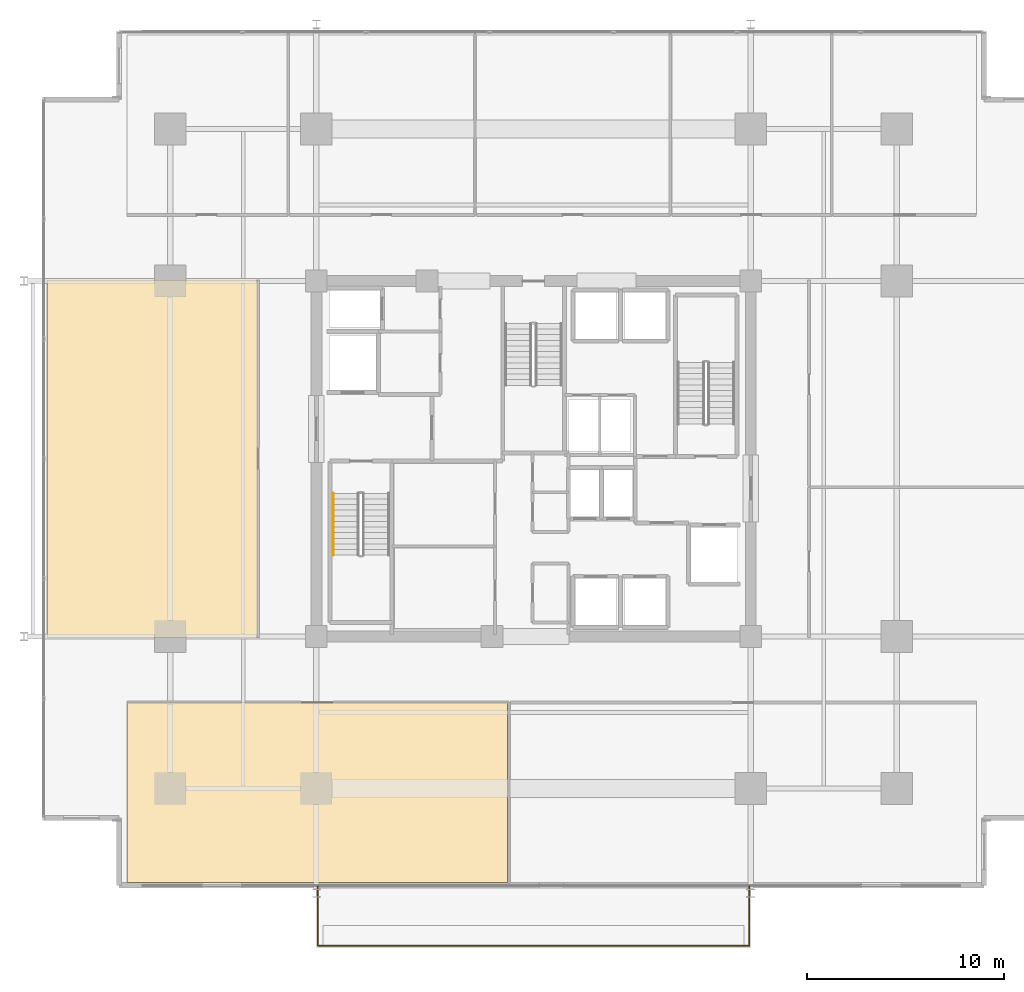
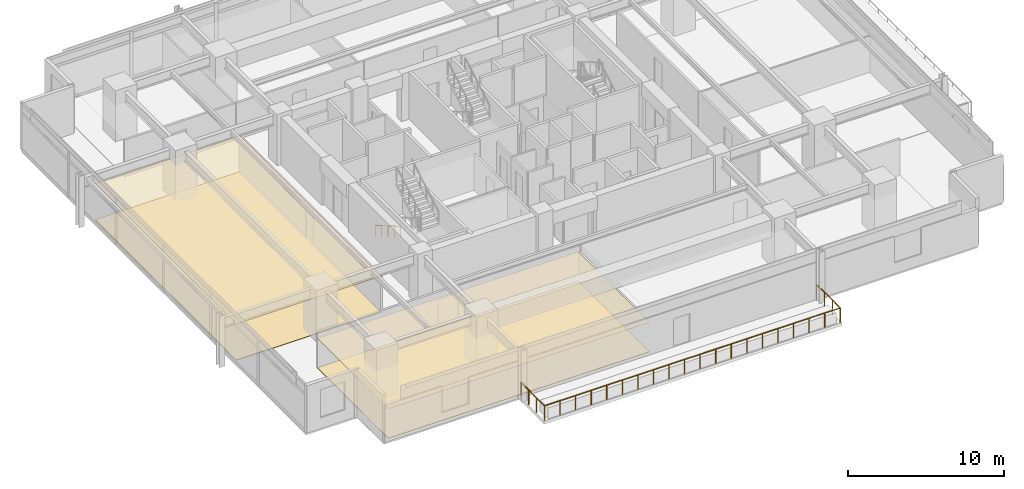
# One storey, part 18 of 22: 4 coverings, 2 railings.
"""IFC4 building model written with IfcOpenShell, lengths in metres."""

import ifcopenshell
import ifcopenshell.guid

model = None  # the IFC model being written
_history = None  # IfcOwnerHistory: only IFC2X3 demands one
_inside = {}  # id of a spatial element -> (the spatial element, [elements in it])
_under = {}  # id of a project, library or spatial element -> (it, [spatial elements below it])
_declared = {}  # id of a project -> (the project, [libraries it declares])
_typed = {}  # id of a type object -> (the type object, [elements of that type])
_made_of = {}  # id of a material, layer set ... -> (it, [elements and type objects made of it])


def new_model(schema):
    """Start an empty IFC model of exactly this schema.

    Asked for "IFC4X3", IfcOpenShell would pick the latest addendum, in which some entities
    have other attributes; the version numbers below select the first issue.
    IFC2X3 requires an IfcOwnerHistory on every rooted entity: one is made here for all.
    """
    global model, _history
    if schema == "IFC4X3":
        model = ifcopenshell.file(schema_version=(4, 3, 0, 0))
    else:
        model = ifcopenshell.file(schema=schema)
    _inside.clear()
    _under.clear()
    _declared.clear()
    _typed.clear()
    _made_of.clear()
    _history = None
    if model.schema == "IFC2X3":
        org = make("IfcOrganization", Name="unknown")
        user = make(
            "IfcPersonAndOrganization",
            ThePerson=make("IfcPerson", FamilyName="unknown"),
            TheOrganization=org,
        )
        app = make(
            "IfcApplication",
            ApplicationDeveloper=org,
            Version="unknown",
            ApplicationFullName="unknown",
            ApplicationIdentifier="unknown",
        )
        _history = make(
            "IfcOwnerHistory",
            OwningUser=user,
            OwningApplication=app,
            ChangeAction="ADDED",
            CreationDate=0,
        )
    return model


def make(cls, **values):
    """One entity of the class cls with the attributes given. An attribute that is None is left unset."""
    return model.create_entity(
        cls, **{name: value for name, value in values.items() if value is not None}
    )


def rooted(cls, **values):
    """An entity with a GlobalId (a new one), such as an element, a storey or a relation."""
    return make(cls, GlobalId=ifcopenshell.guid.new(), OwnerHistory=_history, **values)


def si_unit(unit_type, name, prefix=None):
    """IfcSIUnit, for example si_unit("LENGTHUNIT", "METRE", prefix="MILLI")."""
    return make("IfcSIUnit", UnitType=unit_type, Prefix=prefix, Name=name)


def assignment(units):
    """IfcUnitAssignment: the units of a project."""
    return None if units is None else make("IfcUnitAssignment", Units=units)


def point(xyz):
    """IfcCartesianPoint."""
    return None if xyz is None else make("IfcCartesianPoint", Coordinates=xyz)


def direction(xyz):
    """IfcDirection."""
    return None if xyz is None else make("IfcDirection", DirectionRatios=xyz)


def frame(location, z_axis=None, x_axis=None):
    """IfcAxis2Placement3D, a coordinate frame: its origin and axes. An axis left out is left unset."""
    return make(
        "IfcAxis2Placement3D",
        Location=point(location),
        Axis=direction(z_axis),
        RefDirection=direction(x_axis),
    )


def frame_2d(location, x_axis=None):
    """IfcAxis2Placement2D, a coordinate frame in the plane: its origin and x axis."""
    return make(
        "IfcAxis2Placement2D", Location=point(location), RefDirection=direction(x_axis)
    )


def origin():
    """The frame at (0, 0, 0) with its axes left unset."""
    return frame((0.0, 0.0, 0.0))


def origin_2d():
    """The frame at (0, 0) in the plane with its x axis left unset."""
    return frame_2d((0.0, 0.0))


def place(relative_to, where):
    """IfcLocalPlacement: puts the frame where relative to a parent placement (None: the world)."""
    return make(
        "IfcLocalPlacement", PlacementRelTo=relative_to, RelativePlacement=where
    )


def context(
    kind, dimensions, precision=None, world=None, true_north=None, identifier=None
):
    """IfcGeometricRepresentationContext, for example the 3D "Model" context."""
    return make(
        "IfcGeometricRepresentationContext",
        ContextIdentifier=identifier,
        ContextType=kind,
        CoordinateSpaceDimension=dimensions,
        Precision=precision,
        WorldCoordinateSystem=world,
        TrueNorth=true_north,
    )


def subcontext(parent, identifier, kind, view, scale=None):
    """IfcGeometricRepresentationSubContext, for example "Body" below "Model"."""
    return make(
        "IfcGeometricRepresentationSubContext",
        ContextIdentifier=identifier,
        ContextType=kind,
        ParentContext=parent,
        TargetScale=scale,
        TargetView=view,
    )


def project(units=None, contexts=None):
    """IfcProject with its units and contexts."""
    return rooted(
        "IfcProject",
        Name="project",
        RepresentationContexts=contexts,
        UnitsInContext=assignment(units),
    )


def spatial(cls, under=None, at=None, **own):
    """A site, building, storey or space (cls), placed at a placement, below another one or the project."""
    s = rooted(cls, ObjectPlacement=at, **own)
    if under is not None:
        _under.setdefault(under.id(), (under, []))[1].append(s)
    return s


def polyline(points):
    """IfcPolyline through the points."""
    return make("IfcPolyline", Points=[point(p) for p in points])


def profile(cls, at=None, kind="AREA", **sizes):
    """A parametric profile (cls). Its sizes go by their IFC names, for example OverallWidth=200.0."""
    return make(cls, ProfileType=kind, Position=at, **sizes)


def circle(**sizes):
    """IfcCircleProfileDef."""
    return profile("IfcCircleProfileDef", **sizes)


def outline(outer, holes=None, kind="AREA"):
    """IfcArbitraryClosedProfileDef: a profile drawn as a closed curve; with holes, ...WithVoids."""
    if holes is None:
        return make("IfcArbitraryClosedProfileDef", ProfileType=kind, OuterCurve=outer)
    return make(
        "IfcArbitraryProfileDefWithVoids",
        ProfileType=kind,
        OuterCurve=outer,
        InnerCurves=holes,
    )


def extrude(swept, where, along, depth):
    """IfcExtrudedAreaSolid: the profile swept, set in the frame where, extruded along a direction by depth."""
    return make(
        "IfcExtrudedAreaSolid",
        SweptArea=swept,
        Position=where,
        ExtrudedDirection=direction(along),
        Depth=depth,
    )


def shape(context_of_items, identifier, shape_type, items):
    """IfcShapeRepresentation: the items that make up one representation, for example the "Body"."""
    return make(
        "IfcShapeRepresentation",
        ContextOfItems=context_of_items,
        RepresentationIdentifier=identifier,
        RepresentationType=shape_type,
        Items=items,
    )


def material(Name=None, Category=None):
    """IfcMaterial."""
    return make("IfcMaterial", Name=Name, Category=Category)


def layer(
    of_material, thickness, ventilated=None, Name=None, Category=None, Priority=None
):
    """IfcMaterialLayer: one layer of a wall or slab, of a material (None: an air gap)."""
    return make(
        "IfcMaterialLayer",
        Material=of_material,
        LayerThickness=thickness,
        IsVentilated=ventilated,
        Name=Name,
        Category=Category,
        Priority=Priority,
    )


def layer_set(layers, Name=None):
    """IfcMaterialLayerSet."""
    return make("IfcMaterialLayerSet", MaterialLayers=layers, LayerSetName=Name)


def made_of(thing, what):
    """Note that an element or type object is made of a material, layer set ...; save() writes the relation."""
    if what is not None:
        _made_of.setdefault(what.id(), (what, []))[1].append(thing)
    return thing


def type_object(cls, material=None, **own):
    """A type object (cls), such as IfcWallType, which elements share."""
    return made_of(rooted(cls, **own), material)


def element(
    cls,
    number,
    at=None,
    inside=None,
    cuts=None,
    type_object=None,
    material=None,
    context=None,
    identifier="Body",
    shape_type=None,
    held_by="IfcProductDefinitionShape",
    body=None,
    shapes=None,
    **own,
):
    """One element of the class cls, such as IfcWall. Its Tag is "e" and its number.

    at: its placement. inside: the storey or other place that contains it. cuts: it is an
    opening in that element (IfcRelVoidsElement). A single representation is given by context,
    identifier, shape_type and body (its items); several are given by shapes. held_by: the class
    of the entity that holds the representations. save() writes the other relations.
    """
    e = rooted(cls, Tag="e%d" % number, ObjectPlacement=at, **own)
    if body is not None:
        shapes = [shape(context, identifier, shape_type, body)]
    if shapes is not None:
        e.Representation = make(held_by, Representations=shapes)
    if inside is not None:
        _inside.setdefault(inside.id(), (inside, []))[1].append(e)
    if cuts is not None:
        rooted(
            "IfcRelVoidsElement", RelatingBuildingElement=cuts, RelatedOpeningElement=e
        )
    if type_object is not None:
        _typed.setdefault(type_object.id(), (type_object, []))[1].append(e)
    return made_of(e, material)


def aggregate(whole, parts):
    """IfcRelAggregates: a whole, such as a stair, and the parts it consists of."""
    return rooted("IfcRelAggregates", RelatingObject=whole, RelatedObjects=parts)


def save(model, path):
    """Write the relations noted so far, then the file.

    IfcRelAggregates (storeys below a building ...), IfcRelContainedInSpatialStructure (elements
    in a storey), IfcRelDefinesByType, IfcRelAssociatesMaterial and IfcRelDeclares: one each for
    every whole, place, type object, material and project.
    """
    for whole, parts in _under.values():
        aggregate(whole, parts)
    for where, things in _inside.values():
        rooted(
            "IfcRelContainedInSpatialStructure",
            RelatedElements=things,
            RelatingStructure=where,
        )
    for kind, things in _typed.values():
        rooted("IfcRelDefinesByType", RelatedObjects=things, RelatingType=kind)
    for what, things in _made_of.values():
        rooted("IfcRelAssociatesMaterial", RelatedObjects=things, RelatingMaterial=what)
    for by, libraries in _declared.values():
        rooted("IfcRelDeclares", RelatingContext=by, RelatedDefinitions=libraries)
    model.write(path)


model = new_model("IFC4")

# Units and contexts
model_context = context("Model", 3, precision=1e-05, world=origin(), true_north=direction((0.0, 1.0)))
body_context = subcontext(model_context, "Body", "Model", "MODEL_VIEW")
ifc_project = project(units=[si_unit("LENGTHUNIT", "METRE"), si_unit("AREAUNIT", "SQUARE_METRE"), si_unit("VOLUMEUNIT", "CUBIC_METRE"), si_unit("PLANEANGLEUNIT", "RADIAN"), si_unit("MASSUNIT", "GRAM", prefix="KILO")], contexts=[model_context])

# Site, building, storey
site_placement = place(None, origin())
site = spatial("IfcSite", under=ifc_project, at=site_placement, CompositionType="ELEMENT")
building_placement = place(site_placement, origin())
building = spatial("IfcBuilding", under=site, at=building_placement, Name="Kovane Verandah Tower", CompositionType="ELEMENT")
storey_placement = place(building_placement, frame((0.0, 0.0, 180.39990234375)))
storey = spatial("IfcBuildingStorey", under=building, at=storey_placement, Name="L42", CompositionType="ELEMENT", Elevation=180.39990234375)

# Coverings
ifc_material_1 = material(Name="Perforated Acoustic Mineral-Fibre Ceiling Tile", Category="gypsum")
ifc_layer_1 = layer(ifc_material_1, 0.02490234375)
ifc_layer_set_1 = layer_set([ifc_layer_1], Name="Perforated Acoustic Mineral-Fibre Ceiling Tile")
covering_type_1 = type_object("IfcCoveringType", Name="CV-CEIL-25", PredefinedType="CEILING", material=ifc_layer_set_1)
covering_1_placement = place(storey_placement, frame((0.0, 0.0, 2.30517578125)))
element("IfcCovering", 1, at=covering_1_placement, inside=storey, type_object=covering_type_1, Name="L42 Client Boardroom S1 Acoustic Ceiling", PredefinedType="CEILING", context=body_context, shape_type="SweptSolid", body=[
    extrude(outline(polyline([(19.39990234375, 6.050048828125), (38.68896484375, 6.050048828125), (38.68896484375, 15.14990234375), (19.39990234375, 15.14990234375), (19.39990234375, 6.050048828125)])), origin(), (0.0, 0.0, 1.0), 0.02490234375),
])
covering_2_placement = place(storey_placement, frame((0.0, 0.0, 2.8251953125)))
element("IfcCovering", 2, at=covering_2_placement, inside=storey, type_object=covering_type_1, Name="L42 Focus Studio W1 Acoustic Ceiling", PredefinedType="CEILING", context=body_context, shape_type="SweptSolid", body=[
    extrude(outline(polyline([(15.35009765625, 18.449951171875), (26.050048828125, 18.449951171875), (26.050048828125, 36.550048828125), (15.35009765625, 36.550048828125), (15.35009765625, 18.449951171875)])), origin(), (0.0, 0.0, 1.0), 0.02490234375),
])
ifc_material_2 = material(Name="Polished Terrazzo and Raised-Access Carpet Tile Finish", Category="concrete")
ifc_layer_2 = layer(ifc_material_2, 0.030029296875)
ifc_layer_set_2 = layer_set([ifc_layer_2], Name="Polished Terrazzo and Raised-Access Carpet Tile Finish")
covering_type_2 = type_object("IfcCoveringType", Name="CV-FLOR-30", PredefinedType="FLOORING", material=ifc_layer_set_2)
covering_3_placement = place(storey_placement, origin())
element("IfcCovering", 3, at=covering_3_placement, inside=storey, type_object=covering_type_2, Name="L42 Client Boardroom S1 Floor Finish", PredefinedType="FLOORING", context=body_context, shape_type="SweptSolid", body=[
    extrude(outline(polyline([(19.39990234375, 6.050048828125), (38.68896484375, 6.050048828125), (38.68896484375, 15.14990234375), (19.39990234375, 15.14990234375), (19.39990234375, 6.050048828125)])), origin(), (0.0, 0.0, 1.0), 0.030029296875),
])
covering_4_placement = place(storey_placement, origin())
element("IfcCovering", 4, at=covering_4_placement, inside=storey, type_object=covering_type_2, Name="L42 Focus Studio W1 Floor Finish", PredefinedType="FLOORING", context=body_context, shape_type="SweptSolid", body=[
    extrude(outline(polyline([(15.35009765625, 18.449951171875), (26.050048828125, 18.449951171875), (26.050048828125, 36.550048828125), (15.35009765625, 36.550048828125), (15.35009765625, 18.449951171875)])), origin(), (0.0, 0.0, 1.0), 0.030029296875),
])

# Railings
ifc_material_3 = material(Name="Laminated Glass and Pale-Champagne Stainless Balustrade", Category="glass")
railing_type_1 = type_object("IfcRailingType", Name="RL-BAL-1150", PredefinedType="BALUSTRADE", material=ifc_material_3)
railing_1_placement = place(storey_placement, frame((29.080078125, 5.85009765625, 0.0)))
element("IfcRailing", 5, at=railing_1_placement, inside=storey, type_object=railing_type_1, Name="L42 S Verandah Glass Balustrade", PredefinedType="BALUSTRADE", context=body_context, shape_type="SweptSolid", body=[
    extrude(circle(Radius=0.02392578125, at=origin_2d()), frame((0.0, 0.0, 1.1259765625), z_axis=(0.0, -1.0, 0.0), x_axis=(1.0, 0.0, 0.0)), (0.0, 0.0, 1.0), 3.02001953125),
    extrude(circle(Radius=0.02392578125, at=origin_2d()), frame((0.0, -3.02001953125, 1.1259765625), z_axis=(1.0, 0.0, 0.0), x_axis=(0.0, 1.0, 0.0)), (0.0, 0.0, 1.0), 21.83984375),
    extrude(circle(Radius=0.02392578125, at=origin_2d()), frame((21.83984375, -3.02001953125, 1.1259765625), z_axis=(0.0, 1.0, 0.0), x_axis=(-1.0, 0.0, 0.0)), (0.0, 0.0, 1.0), 3.02001953125),
    extrude(circle(Radius=0.02099609375, at=origin_2d()), origin(), (0.0, 0.0, 1.0), 1.101806640625),
    extrude(circle(Radius=0.02099609375, at=origin_2d()), frame((0.0, -1.006591796875, 0.0)), (0.0, 0.0, 1.0), 1.101806640625),
    extrude(circle(Radius=0.02099609375, at=origin_2d()), frame((0.0, -2.013427734375, 0.0)), (0.0, 0.0, 1.0), 1.101806640625),
    extrude(circle(Radius=0.02099609375, at=origin_2d()), frame((0.0, -3.02001953125, 0.0)), (0.0, 0.0, 1.0), 1.101806640625),
    extrude(circle(Radius=0.02099609375, at=origin_2d()), frame((1.1494140625, -3.02001953125, 0.0)), (0.0, 0.0, 1.0), 1.101806640625),
    extrude(circle(Radius=0.02099609375, at=origin_2d()), frame((2.298828125, -3.02001953125, 0.0)), (0.0, 0.0, 1.0), 1.101806640625),
    extrude(circle(Radius=0.02099609375, at=origin_2d()), frame((3.448486328125, -3.02001953125, 0.0)), (0.0, 0.0, 1.0), 1.101806640625),
    extrude(circle(Radius=0.02099609375, at=origin_2d()), frame((4.597900390625, -3.02001953125, 0.0)), (0.0, 0.0, 1.0), 1.101806640625),
    extrude(circle(Radius=0.02099609375, at=origin_2d()), frame((5.747314453125, -3.02001953125, 0.0)), (0.0, 0.0, 1.0), 1.101806640625),
    extrude(circle(Radius=0.02099609375, at=origin_2d()), frame((6.896728515625, -3.02001953125, 0.0)), (0.0, 0.0, 1.0), 1.101806640625),
    extrude(circle(Radius=0.02099609375, at=origin_2d()), frame((8.046142578125, -3.02001953125, 0.0)), (0.0, 0.0, 1.0), 1.101806640625),
    extrude(circle(Radius=0.02099609375, at=origin_2d()), frame((9.19580078125, -3.02001953125, 0.0)), (0.0, 0.0, 1.0), 1.101806640625),
    extrude(circle(Radius=0.02099609375, at=origin_2d()), frame((10.34521484375, -3.02001953125, 0.0)), (0.0, 0.0, 1.0), 1.101806640625),
    extrude(circle(Radius=0.02099609375, at=origin_2d()), frame((11.49462890625, -3.02001953125, 0.0)), (0.0, 0.0, 1.0), 1.101806640625),
    extrude(circle(Radius=0.02099609375, at=origin_2d()), frame((12.64404296875, -3.02001953125, 0.0)), (0.0, 0.0, 1.0), 1.101806640625),
    extrude(circle(Radius=0.02099609375, at=origin_2d()), frame((13.793701171875, -3.02001953125, 0.0)), (0.0, 0.0, 1.0), 1.101806640625),
    extrude(circle(Radius=0.02099609375, at=origin_2d()), frame((14.943115234375, -3.02001953125, 0.0)), (0.0, 0.0, 1.0), 1.101806640625),
    extrude(circle(Radius=0.02099609375, at=origin_2d()), frame((16.092529296875, -3.02001953125, 0.0)), (0.0, 0.0, 1.0), 1.101806640625),
    extrude(circle(Radius=0.02099609375, at=origin_2d()), frame((17.241943359375, -3.02001953125, 0.0)), (0.0, 0.0, 1.0), 1.101806640625),
    extrude(circle(Radius=0.02099609375, at=origin_2d()), frame((18.391357421875, -3.02001953125, 0.0)), (0.0, 0.0, 1.0), 1.101806640625),
    extrude(circle(Radius=0.02099609375, at=origin_2d()), frame((19.541015625, -3.02001953125, 0.0)), (0.0, 0.0, 1.0), 1.101806640625),
    extrude(circle(Radius=0.02099609375, at=origin_2d()), frame((20.6904296875, -3.02001953125, 0.0)), (0.0, 0.0, 1.0), 1.101806640625),
    extrude(circle(Radius=0.02099609375, at=origin_2d()), frame((21.83984375, -3.02001953125, 0.0)), (0.0, 0.0, 1.0), 1.101806640625),
    extrude(circle(Radius=0.02099609375, at=origin_2d()), frame((21.83984375, -2.013427734375, 0.0)), (0.0, 0.0, 1.0), 1.101806640625),
    extrude(circle(Radius=0.02099609375, at=origin_2d()), frame((21.83984375, -1.006591796875, 0.0)), (0.0, 0.0, 1.0), 1.101806640625),
    extrude(circle(Radius=0.02099609375, at=origin_2d()), frame((21.83984375, 0.0, 0.0)), (0.0, 0.0, 1.0), 1.101806640625),
])
ifc_material_4 = material(Name="Brushed Stainless Steel Handrail", Category="steel")
railing_type_2 = type_object("IfcRailingType", Name="RL-HAND-920", PredefinedType="HANDRAIL", material=ifc_material_4)
railing_2_placement = place(storey_placement, frame((29.85009765625, 25.75, 0.166748046875)))
element("IfcRailing", 6, at=railing_2_placement, inside=storey, type_object=railing_type_2, Name="L42 ST-01 stair handrail 1", PredefinedType="HANDRAIL", context=body_context, shape_type="SweptSolid", body=[
    extrude(circle(Radius=0.02392578125, at=origin_2d()), frame((0.0, 0.0, 0.8759765625), z_axis=(0.0, -0.863239559939, 0.504794475164), x_axis=(1.0, 0.0, 0.0)), (0.0, 0.0, 1.0), 3.631591796875),
    extrude(circle(Radius=0.02099609375, at=origin_2d()), origin(), (0.0, 0.0, 1.0), 0.851806640625),
    extrude(circle(Radius=0.02099609375, at=origin_2d()), frame((0.0, -0.78369140625, 0.458251953125)), (0.0, 0.0, 1.0), 0.851806640625),
    extrude(circle(Radius=0.02099609375, at=origin_2d()), frame((0.0, -1.5673828125, 0.91650390625)), (0.0, 0.0, 1.0), 0.851806640625),
    extrude(circle(Radius=0.02099609375, at=origin_2d()), frame((0.0, -2.351318359375, 1.375)), (0.0, 0.0, 1.0), 0.851806640625),
    extrude(circle(Radius=0.02099609375, at=origin_2d()), frame((0.0, -3.135009765625, 1.833251953125)), (0.0, 0.0, 1.0), 0.851806640625),
])

save(model, "model.ifc")
